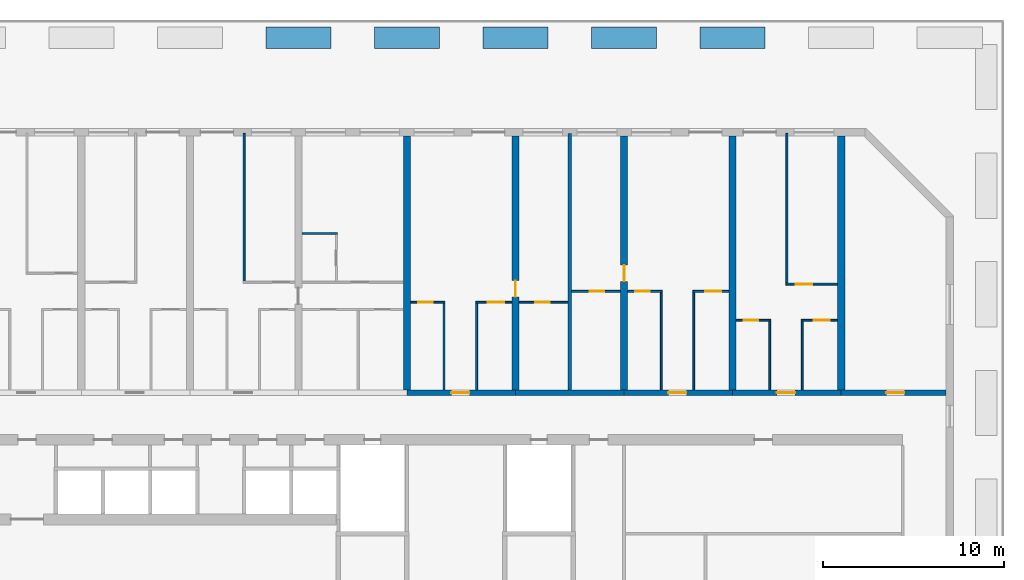
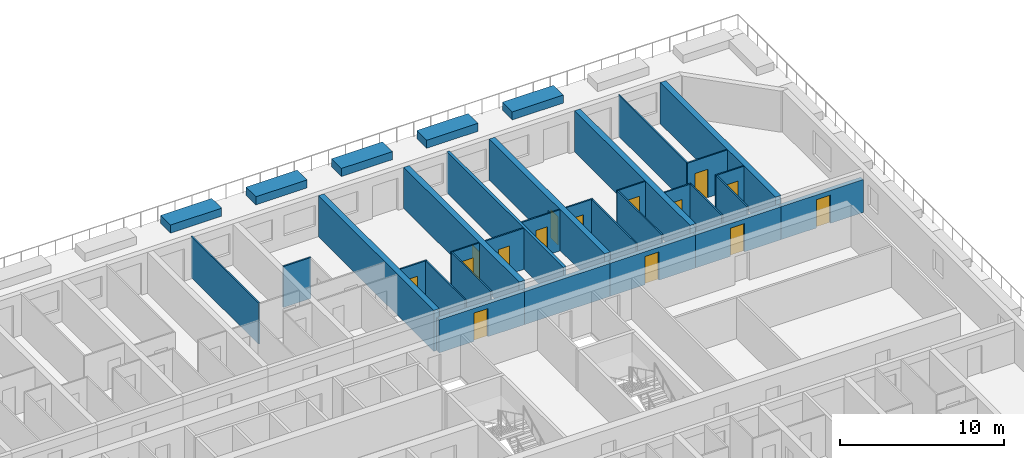
# One storey, part 18 of 23: 34 walls, 15 doors, 15 openings.
"""IFC4 building model written with IfcOpenShell, lengths in metres."""

from ifc_helpers import new_model, si_unit, direction, frame, frame_2d, origin, place, context, subcontext, project, spatial, polyline, rectangle, outline, extrude, source, transform, mapped, material, layer, layer_set, type_object, element, fill, save


model = new_model("IFC4")

# Units and contexts
model_context = context("Model", 3, precision=1e-05, world=origin(), true_north=direction((0.0, 1.0)))
body_context = subcontext(model_context, "Body", "Model", "MODEL_VIEW")
ifc_project = project(units=[si_unit("LENGTHUNIT", "METRE"), si_unit("AREAUNIT", "SQUARE_METRE"), si_unit("VOLUMEUNIT", "CUBIC_METRE"), si_unit("PLANEANGLEUNIT", "RADIAN"), si_unit("MASSUNIT", "GRAM", prefix="KILO")], contexts=[model_context])

# Site, building, storey
site_placement = place(None, origin())
site = spatial("IfcSite", under=ifc_project, at=site_placement, CompositionType="ELEMENT")
building_placement = place(site_placement, origin())
building = spatial("IfcBuilding", under=site, at=building_placement, Name="Poui Terraces", CompositionType="ELEMENT")
storey_placement = place(building_placement, frame((0.0, 0.0, 23.39990234375)))
storey = spatial("IfcBuildingStorey", under=building, at=storey_placement, Name="L05", CompositionType="ELEMENT", Elevation=23.39990234375)

# Wall, opening, door
ifc_material_1 = material(Name="Concrete 80 MPa", Category="concrete")
ifc_layer_1 = layer(ifc_material_1, 0.300048828125)
ifc_layer_set_1 = layer_set([ifc_layer_1], Name="Concrete 80 MPa")
wall_type_1 = type_object("IfcWallType", Name="CORRIDOR WALL 300 80MPa", PredefinedType="SHEAR", material=ifc_layer_set_1)
wall_1_placement = place(storey_placement, frame((72.0, 30.39990234375, 0.0), z_axis=(0.0, 0.0, 1.0), x_axis=(1.0, 0.0, 0.0)))
wall_1 = element("IfcWall", 1, at=wall_1_placement, inside=storey, type_object=wall_type_1, Name="CORRIDOR WALL LINE E BAY 13", PredefinedType="SHEAR", context=body_context, shape_type="SweptSolid", body=[
    extrude(rectangle(XDim=6.0, YDim=0.300048828125, at=frame_2d((3.0, 0.0))), origin(), (0.0, 0.0, 1.0), 2.4501953125),
])
opening_1_placement = place(wall_1_placement, frame((2.449951171875, 0.0, 0.0)))
opening_1 = element("IfcOpeningElement", 2, at=opening_1_placement, cuts=wall_1, Name="Opening FD30S", PredefinedType="OPENING", context=body_context, shape_type="SweptSolid", body=[
    extrude(rectangle(XDim=1.0, YDim=2.10009765625, at=frame_2d((0.5, 1.050048828125))), frame((0.0, 0.16015625, 0.0), z_axis=(0.0, -1.0, 0.0), x_axis=(1.0, 0.0, 0.0)), (0.0, 0.0, 1.0), 0.320068359375),
])
ifc_material_2 = material(Name="Steel fire door", Category="steel")
door_type_1 = type_object("IfcDoorType", Name="FLAT ENTRANCE DOOR 1000 X 2100", OperationType="NOTDEFINED", PredefinedType="DOOR", material=ifc_material_2)
door_1_placement = place(opening_1_placement, origin())
door_1 = element("IfcDoor", 3, at=door_1_placement, inside=storey, type_object=door_type_1, Name="FLAT ENTRANCE DOOR 079", OperationType="SINGLE_SWING_LEFT", OverallHeight=2.10009765625, OverallWidth=1.0, PredefinedType="DOOR", context=body_context, shape_type="SweptSolid", body=[
    extrude(rectangle(XDim=1.0, YDim=2.10009765625, at=frame_2d((0.5, 1.050048828125))), frame((0.0, 0.02490234375, 0.0), z_axis=(0.0, -1.0, 0.0), x_axis=(1.0, 0.0, 0.0)), (0.0, 0.0, 1.0), 0.050048828125),
])
fill(opening_1, door_1)

# Wall
wall_2_placement = place(storey_placement, frame((78.0, 30.39990234375, 0.0), z_axis=(0.0, 0.0, 1.0), x_axis=(1.0, 0.0, 0.0)))
element("IfcWall", 4, at=wall_2_placement, inside=storey, type_object=wall_type_1, Name="CORRIDOR WALL LINE E BAY 14", PredefinedType="SHEAR", context=body_context, shape_type="SweptSolid", body=[
    extrude(rectangle(XDim=6.0, YDim=0.300048828125, at=frame_2d((3.0, 0.0))), origin(), (0.0, 0.0, 1.0), 2.4501953125),
])

# Wall, opening, door
wall_3_placement = place(storey_placement, frame((84.0, 30.39990234375, 0.0), z_axis=(0.0, 0.0, 1.0), x_axis=(1.0, 0.0, 0.0)))
wall_3 = element("IfcWall", 5, at=wall_3_placement, inside=storey, type_object=wall_type_1, Name="CORRIDOR WALL LINE E BAY 15", PredefinedType="SHEAR", context=body_context, shape_type="SweptSolid", body=[
    extrude(rectangle(XDim=6.0, YDim=0.300048828125, at=frame_2d((3.0, 0.0))), origin(), (0.0, 0.0, 1.0), 2.4501953125),
])
opening_2_placement = place(wall_3_placement, frame((2.449951171875, 0.0, 0.0)))
opening_2 = element("IfcOpeningElement", 6, at=opening_2_placement, cuts=wall_3, Name="Opening FD30S", PredefinedType="OPENING", context=body_context, shape_type="SweptSolid", body=[
    extrude(rectangle(XDim=1.0, YDim=2.10009765625, at=frame_2d((0.5, 1.050048828125))), frame((0.0, 0.16015625, 0.0), z_axis=(0.0, -1.0, 0.0), x_axis=(1.0, 0.0, 0.0)), (0.0, 0.0, 1.0), 0.320068359375),
])
door_2_placement = place(opening_2_placement, origin())
door_2 = element("IfcDoor", 7, at=door_2_placement, inside=storey, type_object=door_type_1, Name="FLAT ENTRANCE DOOR 085", OperationType="SINGLE_SWING_LEFT", OverallHeight=2.10009765625, OverallWidth=1.0, PredefinedType="DOOR", context=body_context, shape_type="SweptSolid", body=[
    extrude(rectangle(XDim=1.0, YDim=2.10009765625, at=frame_2d((0.5, 1.050048828125))), frame((0.0, 0.02490234375, 0.0), z_axis=(0.0, -1.0, 0.0), x_axis=(1.0, 0.0, 0.0)), (0.0, 0.0, 1.0), 0.050048828125),
])
fill(opening_2, door_2)

wall_4_placement = place(storey_placement, frame((90.0, 30.39990234375, 0.0), z_axis=(0.0, 0.0, 1.0), x_axis=(1.0, 0.0, 0.0)))
wall_4 = element("IfcWall", 8, at=wall_4_placement, inside=storey, type_object=wall_type_1, Name="CORRIDOR WALL LINE E BAY 16", PredefinedType="SHEAR", context=body_context, shape_type="SweptSolid", body=[
    extrude(rectangle(XDim=6.0, YDim=0.300048828125, at=frame_2d((3.0, 0.0))), origin(), (0.0, 0.0, 1.0), 2.4501953125),
])
opening_3_placement = place(wall_4_placement, frame((2.449951171875, 0.0, 0.0)))
opening_3 = element("IfcOpeningElement", 9, at=opening_3_placement, cuts=wall_4, Name="Opening FD30S", PredefinedType="OPENING", context=body_context, shape_type="SweptSolid", body=[
    extrude(rectangle(XDim=1.0, YDim=2.10009765625, at=frame_2d((0.5, 1.050048828125))), frame((0.0, 0.16015625, 0.0), z_axis=(0.0, -1.0, 0.0), x_axis=(1.0, 0.0, 0.0)), (0.0, 0.0, 1.0), 0.320068359375),
])
door_3_placement = place(opening_3_placement, origin())
door_3 = element("IfcDoor", 10, at=door_3_placement, inside=storey, type_object=door_type_1, Name="FLAT ENTRANCE DOOR 088", OperationType="SINGLE_SWING_LEFT", OverallHeight=2.10009765625, OverallWidth=1.0, PredefinedType="DOOR", context=body_context, shape_type="SweptSolid", body=[
    extrude(rectangle(XDim=1.0, YDim=2.10009765625, at=frame_2d((0.5, 1.050048828125))), frame((0.0, 0.02490234375, 0.0), z_axis=(0.0, -1.0, 0.0), x_axis=(1.0, 0.0, 0.0)), (0.0, 0.0, 1.0), 0.050048828125),
])
fill(opening_3, door_3)

wall_5_placement = place(storey_placement, frame((96.0, 30.39990234375, 0.0), z_axis=(0.0, 0.0, 1.0), x_axis=(1.0, 0.0, 0.0)))
wall_5 = element("IfcWall", 11, at=wall_5_placement, inside=storey, type_object=wall_type_1, Name="CORRIDOR WALL LINE E BAY 17", PredefinedType="SHEAR", context=body_context, shape_type="SweptSolid", body=[
    extrude(rectangle(XDim=5.800048828125, YDim=0.300048828125, at=frame_2d((2.89990234375, 0.0))), origin(), (0.0, 0.0, 1.0), 2.4501953125),
])
opening_4_placement = place(wall_5_placement, frame((2.5, 0.0, 0.0)))
opening_4 = element("IfcOpeningElement", 12, at=opening_4_placement, cuts=wall_5, Name="Opening D100", PredefinedType="OPENING", context=body_context, shape_type="SweptSolid", body=[
    extrude(rectangle(XDim=1.0, YDim=2.10009765625, at=frame_2d((0.5, 1.050048828125))), frame((0.0, 0.16015625, 0.0), z_axis=(0.0, -1.0, 0.0), x_axis=(1.0, 0.0, 0.0)), (0.0, 0.0, 1.0), 0.320068359375),
])
ifc_material_3 = material(Name="Solid core timber door", Category="wood")
door_type_2 = type_object("IfcDoorType", Name="ACCESSIBLE INTERNAL DOOR 1000 X 2100", OperationType="NOTDEFINED", PredefinedType="DOOR", material=ifc_material_3)
door_4_placement = place(opening_4_placement, origin())
door_4 = element("IfcDoor", 13, at=door_4_placement, inside=storey, type_object=door_type_2, Name="ACCESSIBLE INTERNAL DOOR 091", OperationType="SINGLE_SWING_LEFT", OverallHeight=2.10009765625, OverallWidth=1.0, PredefinedType="DOOR", context=body_context, shape_type="SweptSolid", body=[
    extrude(rectangle(XDim=1.0, YDim=2.10009765625, at=frame_2d((0.5, 1.050048828125))), frame((0.0, 0.02490234375, 0.0), z_axis=(0.0, -1.0, 0.0), x_axis=(1.0, 0.0, 0.0)), (0.0, 0.0, 1.0), 0.050048828125),
])
fill(opening_4, door_4)

# Wall
ifc_layer_2 = layer(ifc_material_1, 0.39990234375)
ifc_layer_set_2 = layer_set([ifc_layer_2], Name="Concrete 80 MPa")
wall_type_2 = type_object("IfcWallType", Name="CROSS WALL 400 80MPa", PredefinedType="SHEAR", material=ifc_layer_set_2)
wall_6_placement = place(storey_placement, frame((72.0, 30.550048828125, 0.0), z_axis=(0.0, 0.0, 1.0), x_axis=(0.0, 1.0, 0.0)))
element("IfcWall", 14, at=wall_6_placement, inside=storey, type_object=wall_type_2, Name="CROSS WALL LINE 13 NORTH", PredefinedType="SHEAR", context=body_context, shape_type="SweptSolid", body=[
    extrude(rectangle(XDim=14.050048828125, YDim=0.39990234375, at=frame_2d((7.02490234375, 0.0))), origin(), (0.0, 0.0, 1.0), 3.050048828125),
])

# Wall, opening, door
wall_7_placement = place(storey_placement, frame((78.0, 30.550048828125, 0.0), z_axis=(0.0, 0.0, 1.0), x_axis=(0.0, 1.0, 0.0)))
wall_7 = element("IfcWall", 15, at=wall_7_placement, inside=storey, type_object=wall_type_2, Name="CROSS WALL LINE 14 NORTH", PredefinedType="SHEAR", context=body_context, shape_type="SweptSolid", body=[
    extrude(rectangle(XDim=14.050048828125, YDim=0.39990234375, at=frame_2d((7.02490234375, 0.0))), origin(), (0.0, 0.0, 1.0), 3.050048828125),
])
opening_5_placement = place(wall_7_placement, frame((5.14990234375, 0.0, 0.0)))
opening_5 = element("IfcOpeningElement", 16, at=opening_5_placement, cuts=wall_7, Name="Opening D90", PredefinedType="OPENING", context=body_context, shape_type="SweptSolid", body=[
    extrude(rectangle(XDim=0.89990234375, YDim=2.10009765625, at=frame_2d((0.449951171875, 1.050048828125))), frame((0.0, 0.2099609375, 0.0), z_axis=(0.0, -1.0, 0.0), x_axis=(1.0, 0.0, 0.0)), (0.0, 0.0, 1.0), 0.419921875),
])
door_type_3 = type_object("IfcDoorType", Name="INTERNAL DOOR 900 X 2100", OperationType="NOTDEFINED", PredefinedType="DOOR", material=ifc_material_3)
door_5_placement = place(opening_5_placement, frame((0.89990234375, 0.0, 0.0), z_axis=(0.0, 0.0, 1.0), x_axis=(-1.0, 0.0, 0.0)))
door_5 = element("IfcDoor", 17, at=door_5_placement, inside=storey, type_object=door_type_3, Name="INTERNAL DOOR 081", OperationType="SINGLE_SWING_RIGHT", OverallHeight=2.10009765625, OverallWidth=0.89990234375, PredefinedType="DOOR", context=body_context, shape_type="SweptSolid", body=[
    extrude(rectangle(XDim=0.89990234375, YDim=2.10009765625, at=frame_2d((0.449951171875, 1.050048828125))), frame((0.0, 0.02490234375, 0.0), z_axis=(0.0, -1.0, 0.0), x_axis=(1.0, 0.0, 0.0)), (0.0, 0.0, 1.0), 0.050048828125),
])
fill(opening_5, door_5)

wall_8_placement = place(storey_placement, frame((84.0, 30.550048828125, 0.0), z_axis=(0.0, 0.0, 1.0), x_axis=(0.0, 1.0, 0.0)))
wall_8 = element("IfcWall", 18, at=wall_8_placement, inside=storey, type_object=wall_type_2, Name="CROSS WALL LINE 15 NORTH", PredefinedType="SHEAR", context=body_context, shape_type="SweptSolid", body=[
    extrude(rectangle(XDim=14.050048828125, YDim=0.39990234375, at=frame_2d((7.02490234375, 0.0))), origin(), (0.0, 0.0, 1.0), 3.050048828125),
])
opening_6_placement = place(wall_8_placement, frame((6.0, 0.0, 0.0)))
opening_6 = element("IfcOpeningElement", 19, at=opening_6_placement, cuts=wall_8, Name="Opening D90", PredefinedType="OPENING", context=body_context, shape_type="SweptSolid", body=[
    extrude(rectangle(XDim=0.89990234375, YDim=2.10009765625, at=frame_2d((0.449951171875, 1.050048828125))), frame((0.0, 0.2099609375, 0.0), z_axis=(0.0, -1.0, 0.0), x_axis=(1.0, 0.0, 0.0)), (0.0, 0.0, 1.0), 0.419921875),
])
door_6_placement = place(opening_6_placement, origin())
door_6 = element("IfcDoor", 20, at=door_6_placement, inside=storey, type_object=door_type_3, Name="INTERNAL DOOR 083", OperationType="SINGLE_SWING_LEFT", OverallHeight=2.10009765625, OverallWidth=0.89990234375, PredefinedType="DOOR", context=body_context, shape_type="SweptSolid", body=[
    extrude(rectangle(XDim=0.89990234375, YDim=2.10009765625, at=frame_2d((0.449951171875, 1.050048828125))), frame((0.0, 0.02490234375, 0.0), z_axis=(0.0, -1.0, 0.0), x_axis=(1.0, 0.0, 0.0)), (0.0, 0.0, 1.0), 0.050048828125),
])
fill(opening_6, door_6)

# Walls
for number, where, z_axis, x_axis, name in (
    (21, (90.0, 30.550048828125, 0.0), (0.0, 0.0, 1.0), (0.0, 1.0, 0.0), "CROSS WALL LINE 16 NORTH"),
    (22, (96.0, 30.550048828125, 0.0), (0.0, 0.0, 1.0), (0.0, 1.0, 0.0), "CROSS WALL LINE 17 NORTH"),
):
    element("IfcWall", number, at=place(storey_placement, frame(where, z_axis=z_axis, x_axis=x_axis)), inside=storey, type_object=wall_type_2, Name=name, PredefinedType="SHEAR", context=body_context, shape_type="SweptSolid", body=[
        extrude(rectangle(XDim=14.050048828125, YDim=0.39990234375, at=frame_2d((7.02490234375, 0.0))), origin(), (0.0, 0.0, 1.0), 3.050048828125),
    ])

# Wall, opening, door
ifc_material_4 = material(Name="Plasterboard partition")
ifc_layer_3 = layer(ifc_material_4, 0.10009765625)
ifc_layer_set_3 = layer_set([ifc_layer_3], Name="Plasterboard partition")
wall_type_3 = type_object("IfcWallType", Name="FLAT PARTITION 100", PredefinedType="PARTITIONING", material=ifc_layer_set_3)
wall_9_placement = place(storey_placement, frame((90.2099609375, 34.39990234375, 0.0), z_axis=(0.0, 0.0, 1.0), x_axis=(1.0, 0.0, 0.0)))
wall_9 = element("IfcWall", 23, at=wall_9_placement, inside=storey, type_object=wall_type_3, Name="FLAT PARTITION 100", PredefinedType="PARTITIONING", context=body_context, shape_type="SweptSolid", body=[
    extrude(rectangle(XDim=1.89013671875, YDim=0.10009765625, at=frame_2d((0.945068359375, 0.0))), origin(), (0.0, 0.0, 1.0), 3.050048828125),
])
opening_7_placement = place(wall_9_placement, frame((0.4150390625, 0.0, 0.0)))
opening_7 = element("IfcOpeningElement", 24, at=opening_7_placement, cuts=wall_9, Name="Opening D80", PredefinedType="OPENING", context=body_context, shape_type="SweptSolid", body=[
    extrude(rectangle(XDim=0.800048828125, YDim=2.10009765625, at=frame_2d((0.39990234375, 1.050048828125))), frame((0.0, 0.06005859375, 0.0), z_axis=(0.0, -1.0, 0.0), x_axis=(1.0, 0.0, 0.0)), (0.0, 0.0, 1.0), 0.1201171875),
])
door_type_4 = type_object("IfcDoorType", Name="BATHROOM, LAUNDRY AND STORE DOOR 800 X 2100", OperationType="NOTDEFINED", PredefinedType="DOOR", material=ifc_material_3)
door_7_placement = place(opening_7_placement, frame((0.800048828125, 0.0, 0.0), z_axis=(0.0, 0.0, 1.0), x_axis=(-1.0, 0.0, 0.0)))
door_7 = element("IfcDoor", 25, at=door_7_placement, inside=storey, type_object=door_type_4, Name="BATHROOM, LAUNDRY AND STORE DOOR 087", OperationType="SINGLE_SWING_LEFT", OverallHeight=2.10009765625, OverallWidth=0.800048828125, PredefinedType="DOOR", context=body_context, shape_type="SweptSolid", body=[
    extrude(rectangle(XDim=0.800048828125, YDim=2.10009765625, at=frame_2d((0.39990234375, 1.050048828125))), frame((0.0, 0.02490234375, 0.0), z_axis=(0.0, -1.0, 0.0), x_axis=(1.0, 0.0, 0.0)), (0.0, 0.0, 1.0), 0.050048828125),
])
fill(opening_7, door_7)

wall_10_placement = place(storey_placement, frame((93.800048828125, 34.39990234375, 0.0), z_axis=(0.0, 0.0, 1.0), x_axis=(1.0, 0.0, 0.0)))
wall_10 = element("IfcWall", 26, at=wall_10_placement, inside=storey, type_object=wall_type_3, Name="FLAT PARTITION 100", PredefinedType="PARTITIONING", context=body_context, shape_type="SweptSolid", body=[
    extrude(rectangle(XDim=1.989990234375, YDim=0.10009765625, at=frame_2d((0.9951171875, 0.0))), origin(), (0.0, 0.0, 1.0), 3.050048828125),
])
opening_8_placement = place(wall_10_placement, frame((0.675048828125, 0.0, 0.0)))
opening_8 = element("IfcOpeningElement", 27, at=opening_8_placement, cuts=wall_10, Name="Opening D90", PredefinedType="OPENING", context=body_context, shape_type="SweptSolid", body=[
    extrude(rectangle(XDim=0.89990234375, YDim=2.10009765625, at=frame_2d((0.449951171875, 1.050048828125))), frame((0.0, 0.06005859375, 0.0), z_axis=(0.0, -1.0, 0.0), x_axis=(1.0, 0.0, 0.0)), (0.0, 0.0, 1.0), 0.1201171875),
])
door_8_placement = place(opening_8_placement, frame((0.89990234375, 0.0, 0.0), z_axis=(0.0, 0.0, 1.0), x_axis=(-1.0, 0.0, 0.0)))
door_8 = element("IfcDoor", 28, at=door_8_placement, inside=storey, type_object=door_type_3, Name="INTERNAL DOOR 090", OperationType="SINGLE_SWING_RIGHT", OverallHeight=2.10009765625, OverallWidth=0.89990234375, PredefinedType="DOOR", context=body_context, shape_type="SweptSolid", body=[
    extrude(rectangle(XDim=0.89990234375, YDim=2.10009765625, at=frame_2d((0.449951171875, 1.050048828125))), frame((0.0, 0.02490234375, 0.0), z_axis=(0.0, -1.0, 0.0), x_axis=(1.0, 0.0, 0.0)), (0.0, 0.0, 1.0), 0.050048828125),
])
fill(opening_8, door_8)

wall_11_placement = place(storey_placement, frame((72.2099609375, 35.39990234375, 0.0), z_axis=(0.0, 0.0, 1.0), x_axis=(1.0, 0.0, 0.0)))
wall_11 = element("IfcWall", 29, at=wall_11_placement, inside=storey, type_object=wall_type_3, Name="FLAT PARTITION 100", PredefinedType="PARTITIONING", context=body_context, shape_type="SweptSolid", body=[
    extrude(rectangle(XDim=1.89013671875, YDim=0.10009765625, at=frame_2d((0.945068359375, 0.0))), origin(), (0.0, 0.0, 1.0), 3.050048828125),
])
opening_9_placement = place(wall_11_placement, frame((0.4150390625, 0.0, 0.0)))
opening_9 = element("IfcOpeningElement", 30, at=opening_9_placement, cuts=wall_11, Name="Opening D80", PredefinedType="OPENING", context=body_context, shape_type="SweptSolid", body=[
    extrude(rectangle(XDim=0.800048828125, YDim=2.10009765625, at=frame_2d((0.39990234375, 1.050048828125))), frame((0.0, 0.06005859375, 0.0), z_axis=(0.0, -1.0, 0.0), x_axis=(1.0, 0.0, 0.0)), (0.0, 0.0, 1.0), 0.1201171875),
])
door_9_placement = place(opening_9_placement, frame((0.800048828125, 0.0, 0.0), z_axis=(0.0, 0.0, 1.0), x_axis=(-1.0, 0.0, 0.0)))
door_9 = element("IfcDoor", 31, at=door_9_placement, inside=storey, type_object=door_type_4, Name="BATHROOM, LAUNDRY AND STORE DOOR 078", OperationType="SINGLE_SWING_RIGHT", OverallHeight=2.10009765625, OverallWidth=0.800048828125, PredefinedType="DOOR", context=body_context, shape_type="SweptSolid", body=[
    extrude(rectangle(XDim=0.800048828125, YDim=2.10009765625, at=frame_2d((0.39990234375, 1.050048828125))), frame((0.0, 0.02490234375, 0.0), z_axis=(0.0, -1.0, 0.0), x_axis=(1.0, 0.0, 0.0)), (0.0, 0.0, 1.0), 0.050048828125),
])
fill(opening_9, door_9)

wall_12_placement = place(storey_placement, frame((75.800048828125, 35.39990234375, 0.0), z_axis=(0.0, 0.0, 1.0), x_axis=(1.0, 0.0, 0.0)))
wall_12 = element("IfcWall", 32, at=wall_12_placement, inside=storey, type_object=wall_type_3, Name="FLAT PARTITION 100", PredefinedType="PARTITIONING", context=body_context, shape_type="SweptSolid", body=[
    extrude(rectangle(XDim=1.989990234375, YDim=0.10009765625, at=frame_2d((0.9951171875, 0.0))), origin(), (0.0, 0.0, 1.0), 3.050048828125),
])
opening_10_placement = place(wall_12_placement, frame((0.675048828125, 0.0, 0.0)))
opening_10 = element("IfcOpeningElement", 33, at=opening_10_placement, cuts=wall_12, Name="Opening D90", PredefinedType="OPENING", context=body_context, shape_type="SweptSolid", body=[
    extrude(rectangle(XDim=0.89990234375, YDim=2.10009765625, at=frame_2d((0.449951171875, 1.050048828125))), frame((0.0, 0.06005859375, 0.0), z_axis=(0.0, -1.0, 0.0), x_axis=(1.0, 0.0, 0.0)), (0.0, 0.0, 1.0), 0.1201171875),
])
door_10_placement = place(opening_10_placement, frame((0.89990234375, 0.0, 0.0), z_axis=(0.0, 0.0, 1.0), x_axis=(-1.0, 0.0, 0.0)))
door_10 = element("IfcDoor", 34, at=door_10_placement, inside=storey, type_object=door_type_3, Name="INTERNAL DOOR 080", OperationType="SINGLE_SWING_LEFT", OverallHeight=2.10009765625, OverallWidth=0.89990234375, PredefinedType="DOOR", context=body_context, shape_type="SweptSolid", body=[
    extrude(rectangle(XDim=0.89990234375, YDim=2.10009765625, at=frame_2d((0.449951171875, 1.050048828125))), frame((0.0, 0.02490234375, 0.0), z_axis=(0.0, -1.0, 0.0), x_axis=(1.0, 0.0, 0.0)), (0.0, 0.0, 1.0), 0.050048828125),
])
fill(opening_10, door_10)

wall_13_placement = place(storey_placement, frame((78.2099609375, 35.39990234375, 0.0), z_axis=(0.0, 0.0, 1.0), x_axis=(1.0, 0.0, 0.0)))
wall_13 = element("IfcWall", 35, at=wall_13_placement, inside=storey, type_object=wall_type_3, Name="FLAT PARTITION 100", PredefinedType="PARTITIONING", context=body_context, shape_type="SweptSolid", body=[
    extrude(rectangle(XDim=2.68994140625, YDim=0.10009765625, at=frame_2d((1.344970703125, 0.0))), origin(), (0.0, 0.0, 1.0), 3.050048828125),
])
opening_11_placement = place(wall_13_placement, frame((0.889892578125, 0.0, 0.0)))
opening_11 = element("IfcOpeningElement", 36, at=opening_11_placement, cuts=wall_13, Name="Opening D80", PredefinedType="OPENING", context=body_context, shape_type="SweptSolid", body=[
    extrude(rectangle(XDim=0.800048828125, YDim=2.10009765625, at=frame_2d((0.39990234375, 1.050048828125))), frame((0.0, 0.06005859375, 0.0), z_axis=(0.0, -1.0, 0.0), x_axis=(1.0, 0.0, 0.0)), (0.0, 0.0, 1.0), 0.1201171875),
])
door_11_placement = place(opening_11_placement, frame((0.800048828125, 0.0, 0.0), z_axis=(0.0, 0.0, 1.0), x_axis=(-1.0, 0.0, 0.0)))
door_11 = element("IfcDoor", 37, at=door_11_placement, inside=storey, type_object=door_type_4, Name="BATHROOM, LAUNDRY AND STORE DOOR 077", OperationType="SINGLE_SWING_LEFT", OverallHeight=2.10009765625, OverallWidth=0.800048828125, PredefinedType="DOOR", context=body_context, shape_type="SweptSolid", body=[
    extrude(rectangle(XDim=0.800048828125, YDim=2.10009765625, at=frame_2d((0.39990234375, 1.050048828125))), frame((0.0, 0.02490234375, 0.0), z_axis=(0.0, -1.0, 0.0), x_axis=(1.0, 0.0, 0.0)), (0.0, 0.0, 1.0), 0.050048828125),
])
fill(opening_11, door_11)

wall_14_placement = place(storey_placement, frame((81.10009765625, 36.0, 0.0), z_axis=(0.0, 0.0, 1.0), x_axis=(1.0, 0.0, 0.0)))
wall_14 = element("IfcWall", 38, at=wall_14_placement, inside=storey, type_object=wall_type_3, Name="FLAT PARTITION 100", PredefinedType="PARTITIONING", context=body_context, shape_type="SweptSolid", body=[
    extrude(rectangle(XDim=2.68994140625, YDim=0.10009765625, at=frame_2d((1.344970703125, 0.0))), origin(), (0.0, 0.0, 1.0), 3.050048828125),
])
opening_12_placement = place(wall_14_placement, frame((1.0, 0.0, 0.0)))
opening_12 = element("IfcOpeningElement", 39, at=opening_12_placement, cuts=wall_14, Name="Opening D80", PredefinedType="OPENING", context=body_context, shape_type="SweptSolid", body=[
    extrude(rectangle(XDim=0.800048828125, YDim=2.10009765625, at=frame_2d((0.39990234375, 1.050048828125))), frame((0.0, 0.06005859375, 0.0), z_axis=(0.0, -1.0, 0.0), x_axis=(1.0, 0.0, 0.0)), (0.0, 0.0, 1.0), 0.1201171875),
])
door_12_placement = place(opening_12_placement, frame((0.800048828125, 0.0, 0.0), z_axis=(0.0, 0.0, 1.0), x_axis=(-1.0, 0.0, 0.0)))
door_12 = element("IfcDoor", 40, at=door_12_placement, inside=storey, type_object=door_type_4, Name="BATHROOM, LAUNDRY AND STORE DOOR 082", OperationType="SINGLE_SWING_RIGHT", OverallHeight=2.10009765625, OverallWidth=0.800048828125, PredefinedType="DOOR", context=body_context, shape_type="SweptSolid", body=[
    extrude(rectangle(XDim=0.800048828125, YDim=2.10009765625, at=frame_2d((0.39990234375, 1.050048828125))), frame((0.0, 0.02490234375, 0.0), z_axis=(0.0, -1.0, 0.0), x_axis=(1.0, 0.0, 0.0)), (0.0, 0.0, 1.0), 0.050048828125),
])
fill(opening_12, door_12)

wall_15_placement = place(storey_placement, frame((84.2099609375, 36.0, 0.0), z_axis=(0.0, 0.0, 1.0), x_axis=(1.0, 0.0, 0.0)))
wall_15 = element("IfcWall", 41, at=wall_15_placement, inside=storey, type_object=wall_type_3, Name="FLAT PARTITION 100", PredefinedType="PARTITIONING", context=body_context, shape_type="SweptSolid", body=[
    extrude(rectangle(XDim=1.89013671875, YDim=0.10009765625, at=frame_2d((0.945068359375, 0.0))), origin(), (0.0, 0.0, 1.0), 3.050048828125),
])
opening_13_placement = place(wall_15_placement, frame((0.4150390625, 0.0, 0.0)))
opening_13 = element("IfcOpeningElement", 42, at=opening_13_placement, cuts=wall_15, Name="Opening D80", PredefinedType="OPENING", context=body_context, shape_type="SweptSolid", body=[
    extrude(rectangle(XDim=0.800048828125, YDim=2.10009765625, at=frame_2d((0.39990234375, 1.050048828125))), frame((0.0, 0.06005859375, 0.0), z_axis=(0.0, -1.0, 0.0), x_axis=(1.0, 0.0, 0.0)), (0.0, 0.0, 1.0), 0.1201171875),
])
door_13_placement = place(opening_13_placement, frame((0.800048828125, 0.0, 0.0), z_axis=(0.0, 0.0, 1.0), x_axis=(-1.0, 0.0, 0.0)))
door_13 = element("IfcDoor", 43, at=door_13_placement, inside=storey, type_object=door_type_4, Name="BATHROOM, LAUNDRY AND STORE DOOR 084", OperationType="SINGLE_SWING_LEFT", OverallHeight=2.10009765625, OverallWidth=0.800048828125, PredefinedType="DOOR", context=body_context, shape_type="SweptSolid", body=[
    extrude(rectangle(XDim=0.800048828125, YDim=2.10009765625, at=frame_2d((0.39990234375, 1.050048828125))), frame((0.0, 0.02490234375, 0.0), z_axis=(0.0, -1.0, 0.0), x_axis=(1.0, 0.0, 0.0)), (0.0, 0.0, 1.0), 0.050048828125),
])
fill(opening_13, door_13)

wall_16_placement = place(storey_placement, frame((87.800048828125, 36.0, 0.0), z_axis=(0.0, 0.0, 1.0), x_axis=(1.0, 0.0, 0.0)))
wall_16 = element("IfcWall", 44, at=wall_16_placement, inside=storey, type_object=wall_type_3, Name="FLAT PARTITION 100", PredefinedType="PARTITIONING", context=body_context, shape_type="SweptSolid", body=[
    extrude(rectangle(XDim=1.989990234375, YDim=0.10009765625, at=frame_2d((0.9951171875, 0.0))), origin(), (0.0, 0.0, 1.0), 3.050048828125),
])
opening_14_placement = place(wall_16_placement, frame((0.675048828125, 0.0, 0.0)))
opening_14 = element("IfcOpeningElement", 45, at=opening_14_placement, cuts=wall_16, Name="Opening D90", PredefinedType="OPENING", context=body_context, shape_type="SweptSolid", body=[
    extrude(rectangle(XDim=0.89990234375, YDim=2.10009765625, at=frame_2d((0.449951171875, 1.050048828125))), frame((0.0, 0.06005859375, 0.0), z_axis=(0.0, -1.0, 0.0), x_axis=(1.0, 0.0, 0.0)), (0.0, 0.0, 1.0), 0.1201171875),
])
door_14_placement = place(opening_14_placement, frame((0.89990234375, 0.0, 0.0), z_axis=(0.0, 0.0, 1.0), x_axis=(-1.0, 0.0, 0.0)))
door_14 = element("IfcDoor", 46, at=door_14_placement, inside=storey, type_object=door_type_3, Name="INTERNAL DOOR 086", OperationType="SINGLE_SWING_RIGHT", OverallHeight=2.10009765625, OverallWidth=0.89990234375, PredefinedType="DOOR", context=body_context, shape_type="SweptSolid", body=[
    extrude(rectangle(XDim=0.89990234375, YDim=2.10009765625, at=frame_2d((0.449951171875, 1.050048828125))), frame((0.0, 0.02490234375, 0.0), z_axis=(0.0, -1.0, 0.0), x_axis=(1.0, 0.0, 0.0)), (0.0, 0.0, 1.0), 0.050048828125),
])
fill(opening_14, door_14)

wall_17_placement = place(storey_placement, frame((92.949951171875, 36.39990234375, 0.0), z_axis=(0.0, 0.0, 1.0), x_axis=(1.0, 0.0, 0.0)))
wall_17 = element("IfcWall", 47, at=wall_17_placement, inside=storey, type_object=wall_type_3, Name="FLAT PARTITION 100", PredefinedType="PARTITIONING", context=body_context, shape_type="SweptSolid", body=[
    extrude(rectangle(XDim=2.840087890625, YDim=0.10009765625, at=frame_2d((1.419921875, 0.0))), origin(), (0.0, 0.0, 1.0), 3.050048828125),
])
opening_15_placement = place(wall_17_placement, frame((0.550048828125, 0.0, 0.0)))
opening_15 = element("IfcOpeningElement", 48, at=opening_15_placement, cuts=wall_17, Name="Opening D90", PredefinedType="OPENING", context=body_context, shape_type="SweptSolid", body=[
    extrude(rectangle(XDim=0.89990234375, YDim=2.10009765625, at=frame_2d((0.449951171875, 1.050048828125))), frame((0.0, 0.06005859375, 0.0), z_axis=(0.0, -1.0, 0.0), x_axis=(1.0, 0.0, 0.0)), (0.0, 0.0, 1.0), 0.1201171875),
])
door_15_placement = place(opening_15_placement, frame((0.89990234375, 0.0, 0.0), z_axis=(0.0, 0.0, 1.0), x_axis=(-1.0, 0.0, 0.0)))
door_15 = element("IfcDoor", 49, at=door_15_placement, inside=storey, type_object=door_type_3, Name="INTERNAL DOOR 089", OperationType="SINGLE_SWING_LEFT", OverallHeight=2.10009765625, OverallWidth=0.89990234375, PredefinedType="DOOR", context=body_context, shape_type="SweptSolid", body=[
    extrude(rectangle(XDim=0.89990234375, YDim=2.10009765625, at=frame_2d((0.449951171875, 1.050048828125))), frame((0.0, 0.02490234375, 0.0), z_axis=(0.0, -1.0, 0.0), x_axis=(1.0, 0.0, 0.0)), (0.0, 0.0, 1.0), 0.050048828125),
])
fill(opening_15, door_15)

# Walls
wall_18_placement = place(storey_placement, frame((66.2099609375, 39.199951171875, 0.0), z_axis=(0.0, 0.0, 1.0), x_axis=(1.0, 0.0, 0.0)))
element("IfcWall", 50, at=wall_18_placement, inside=storey, type_object=wall_type_3, Name="FLAT PARTITION 100", PredefinedType="PARTITIONING", context=body_context, shape_type="SweptSolid", body=[
    extrude(rectangle(XDim=1.93994140625, YDim=0.10009765625, at=frame_2d((0.969970703125, 0.0))), origin(), (0.0, 0.0, 1.0), 3.050048828125),
])
wall_19_placement = place(storey_placement, frame((63.0, 36.550048828125, 0.0), z_axis=(0.0, 0.0, 1.0), x_axis=(0.0, 1.0, 0.0)))
element("IfcWall", 51, at=wall_19_placement, inside=storey, type_object=wall_type_3, Name="FLAT PARTITION 100", PredefinedType="PARTITIONING", context=body_context, shape_type="SweptSolid", body=[
    extrude(rectangle(XDim=8.18994140625, YDim=0.10009765625, at=frame_2d((4.094970703125, 0.0))), origin(), (0.0, 0.0, 1.0), 3.050048828125),
])
for number, where, z_axis, x_axis, name in (
    (52, (74.050048828125, 30.56005859375, 0.0), (0.0, 0.0, 1.0), (0.0, 1.0, 0.0), "FLAT PARTITION 100"),
    (53, (75.85009765625, 30.56005859375, 0.0), (0.0, 0.0, 1.0), (0.0, 1.0, 0.0), "FLAT PARTITION 100"),
):
    element("IfcWall", number, at=place(storey_placement, frame(where, z_axis=z_axis, x_axis=x_axis)), inside=storey, type_object=wall_type_3, Name=name, PredefinedType="PARTITIONING", context=body_context, shape_type="SweptSolid", body=[
        extrude(rectangle(XDim=4.7900390625, YDim=0.10009765625, at=frame_2d((2.39501953125, 0.0))), origin(), (0.0, 0.0, 1.0), 3.050048828125),
    ])
for number, where, z_axis, x_axis, name in (
    (54, (86.050048828125, 30.56005859375, 0.0), (0.0, 0.0, 1.0), (0.0, 1.0, 0.0), "FLAT PARTITION 100"),
    (55, (87.85009765625, 30.56005859375, 0.0), (0.0, 0.0, 1.0), (0.0, 1.0, 0.0), "FLAT PARTITION 100"),
):
    element("IfcWall", number, at=place(storey_placement, frame(where, z_axis=z_axis, x_axis=x_axis)), inside=storey, type_object=wall_type_3, Name=name, PredefinedType="PARTITIONING", context=body_context, shape_type="SweptSolid", body=[
        extrude(rectangle(XDim=5.389892578125, YDim=0.10009765625, at=frame_2d((2.69482421875, 0.0))), origin(), (0.0, 0.0, 1.0), 3.050048828125),
    ])
wall_20_placement = place(storey_placement, frame((92.050048828125, 30.56005859375, 0.0), z_axis=(0.0, 0.0, 1.0), x_axis=(0.0, 1.0, 0.0)))
element("IfcWall", 56, at=wall_20_placement, inside=storey, type_object=wall_type_3, Name="FLAT PARTITION 100", PredefinedType="PARTITIONING", context=body_context, shape_type="SweptSolid", body=[
    extrude(rectangle(XDim=3.7900390625, YDim=0.10009765625, at=frame_2d((1.89501953125, 0.0))), origin(), (0.0, 0.0, 1.0), 3.050048828125),
])
wall_21_placement = place(storey_placement, frame((93.0, 36.449951171875, 0.0), z_axis=(0.0, 0.0, 1.0), x_axis=(0.0, 1.0, 0.0)))
element("IfcWall", 57, at=wall_21_placement, inside=storey, type_object=wall_type_3, Name="FLAT PARTITION 100", PredefinedType="PARTITIONING", context=body_context, shape_type="SweptSolid", body=[
    extrude(rectangle(XDim=8.2900390625, YDim=0.10009765625, at=frame_2d((4.14501953125, 0.0))), origin(), (0.0, 0.0, 1.0), 3.050048828125),
])
wall_22_placement = place(storey_placement, frame((93.85009765625, 30.56005859375, 0.0), z_axis=(0.0, 0.0, 1.0), x_axis=(0.0, 1.0, 0.0)))
element("IfcWall", 58, at=wall_22_placement, inside=storey, type_object=wall_type_3, Name="FLAT PARTITION 100", PredefinedType="PARTITIONING", context=body_context, shape_type="SweptSolid", body=[
    extrude(rectangle(XDim=3.7900390625, YDim=0.10009765625, at=frame_2d((1.89501953125, 0.0))), origin(), (0.0, 0.0, 1.0), 3.050048828125),
])
ifc_material_5 = material(Name="Fire-rated masonry wall", Category="masonry")
ifc_layer_4 = layer(ifc_material_5, 0.199951171875)
ifc_layer_set_4 = layer_set([ifc_layer_4], Name="Fire-rated masonry wall")
wall_type_4 = type_object("IfcWallType", Name="FLAT PARTY WALL 200", PredefinedType="PARTITIONING", material=ifc_layer_set_4)
wall_23_placement = place(storey_placement, frame((81.0, 30.56005859375, 0.0), z_axis=(0.0, 0.0, 1.0), x_axis=(0.0, 1.0, 0.0)))
element("IfcWall", 59, at=wall_23_placement, inside=storey, type_object=wall_type_4, Name="FLAT PARTY WALL 200", PredefinedType="PARTITIONING", context=body_context, shape_type="SweptSolid", body=[
    extrude(rectangle(XDim=14.179931640625, YDim=0.199951171875, at=frame_2d((7.08984375, 0.0))), origin(), (0.0, 0.0, 1.0), 3.050048828125),
])
ifc_material_6 = material(Name="Precast concrete 40 MPa", Category="concrete")
ifc_layer_5 = layer(ifc_material_6, 1.199951171875)
ifc_layer_set_5 = layer_set([ifc_layer_5], Name="Precast concrete 40 MPa")
wall_type_5 = type_object("IfcWallType", Name="PLANTER 600", PredefinedType="USERDEFINED", material=ifc_layer_set_5)
shared_shape = source(origin(), body_context, "Body", "SweptSolid", [
    extrude(outline(polyline([(0.0, 0.0), (3.60009765625, 0.0), (3.60009765625, 1.2001953125), (0.0, 1.2001953125), (0.0, 0.0)])), origin(), (0.0, 0.0, 1.0), 0.60009765625),
])
for number, where, name in (
    (60, (64.199951171875, 49.419921875, 0.0), "PLANTER"),
    (61, (70.199951171875, 49.419921875, 0.0), "PLANTER"),
    (62, (76.199951171875, 49.419921875, 0.0), "PLANTER"),
    (63, (82.199951171875, 49.419921875, 0.0), "PLANTER"),
    (64, (88.199951171875, 49.419921875, 0.0), "PLANTER"),
):
    element("IfcWall", number, at=place(storey_placement, frame(where)), inside=storey, type_object=wall_type_5, Name=name, ObjectType="PLANTER", PredefinedType="USERDEFINED", context=body_context, shape_type="MappedRepresentation", body=[
        mapped(shared_shape, transform((0.0, 0.0, 0.0))),
    ])

save(model, "model.ifc")
